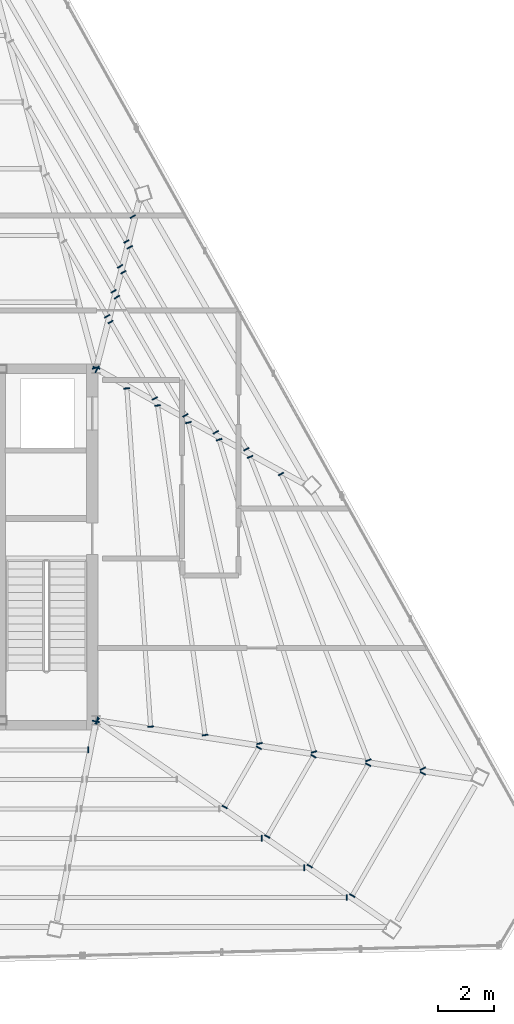
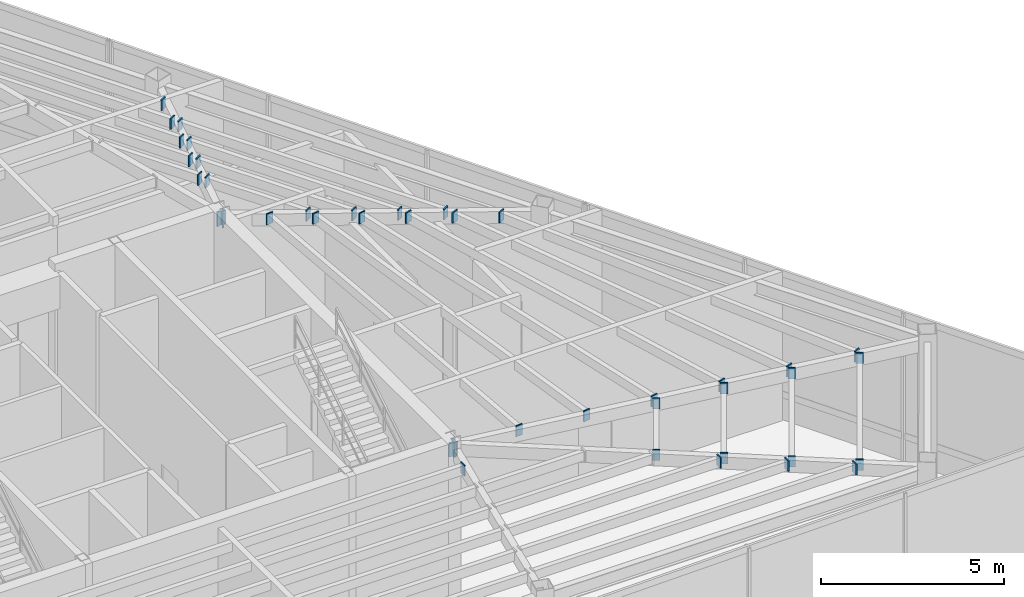
# One storey, part 21 of 25: 43 plates.
"""IFC4 building model written with IfcOpenShell, lengths in metres."""

from ifc_helpers import new_model, si_unit, direction, frame, origin, origin_2d, place, context, subcontext, project, spatial, rectangle, extrude, source, transform, mapped, material, layer, layer_set, type_object, type_shapes, element, save


model = new_model("IFC4")

# Units and contexts
model_context = context("Model", 3, precision=1e-05, world=origin(), true_north=direction((0.0, 1.0)))
body_context = subcontext(model_context, "Body", "Model", "MODEL_VIEW")
ifc_project = project(units=[si_unit("LENGTHUNIT", "METRE"), si_unit("AREAUNIT", "SQUARE_METRE"), si_unit("VOLUMEUNIT", "CUBIC_METRE"), si_unit("PLANEANGLEUNIT", "RADIAN"), si_unit("MASSUNIT", "GRAM", prefix="KILO")], contexts=[model_context])

# Site, building, storey
site_placement = place(None, origin())
site = spatial("IfcSite", under=ifc_project, at=site_placement, CompositionType="ELEMENT")
building_placement = place(site_placement, origin())
building = spatial("IfcBuilding", under=site, at=building_placement, Name="Caelisora Broadcast Tower", CompositionType="ELEMENT")
storey_placement = place(building_placement, frame((0.0, 0.0, 284.60009765625)))
storey = spatial("IfcBuildingStorey", under=building, at=storey_placement, Name="L75", CompositionType="ELEMENT", Elevation=284.60009765625)

# Plates
ifc_material = material(Name="Steel Grade 350 L15 (AS/NZS 3678)", Category="steel")
ifc_layer = layer(ifc_material, 0.0400390625, Name="Steel Grade 350 L15 (AS/NZS 3678)")
ifc_layer_set = layer_set([ifc_layer], Name="Steel Grade 350 L15 (AS/NZS 3678)")
plate_type = type_object("IfcPlateType", Name="GP04", PredefinedType="USERDEFINED", material=ifc_layer_set)
shared_shape_1 = source(origin(), body_context, "Body", "SweptSolid", [
    extrude(rectangle(XDim=0.260009765625, YDim=0.0400390625, at=origin_2d()), origin(), (0.0, 0.0, 1.0), 0.4599609375),
])
for number, where, z_axis, x_axis, name in (
    (1, (45.48974609375, 30.038818359375, 4.52001953125), (0.0, 0.0, 1.0), (-0.966376079321, -0.257132793155, 0.0), "L75 gusset plate GP04 (ND-RAD-L75-01)"),
    (2, (45.4921875, 17.360595703125, 4.52001953125), (0.0, 0.0, 1.0), (0.981493734433, -0.191494253877, 0.0), "L75 gusset plate GP04 (ND-RAD-L75-08)"),
    (3, (45.532958984375, 17.377197265625, 4.52001953125), (0.0, 0.0, 1.0), (0.570426897773, 0.821348375719, 0.0), "L75 gusset plate GP04 (ND-RAD-L75-09)"),
    (4, (45.53955078125, 17.393798828125, 4.52001953125), (0.0, 0.0, 1.0), (0.153330783737, 0.98817491911, 0.0), "L75 gusset plate GP04 (ND-RAD-L75-10)"),
    (5, (45.534912109375, 29.980712890625, 4.52001953125), (0.0, 0.0, 1.0), (0.484351604003, 0.87487343296, 0.0), "L75 gusset plate GP04 (ND-RAD-L75-11)"),
    (6, (45.510009765625, 30.038818359375, 4.52001953125), (0.0, 0.0, 1.0), (-0.96862655095, 0.248520833726, 0.0), "L75 gusset plate GP04 (ND-RAD-L75-12)"),
):
    element("IfcPlate", number, at=place(storey_placement, frame(where, z_axis=z_axis, x_axis=x_axis)), inside=storey, type_object=plate_type, Name=name, ObjectType="GUSSET PLATE", PredefinedType="USERDEFINED", context=body_context, shape_type="MappedRepresentation", body=[
        mapped(shared_shape_1, transform((0.0, 0.0, 0.0), scale=1.0)),
    ])
shared_shape_2 = source(origin(), body_context, "Body", "SweptSolid", [
    extrude(rectangle(XDim=0.2099609375, YDim=0.0400390625, at=origin_2d()), origin(), (0.0, 0.0, 1.0), 0.360107421875),
])
type_shapes(plate_type, [shared_shape_1, shared_shape_2])
for number, where, z_axis, x_axis, name in (
    (7, (45.214599609375, 16.341796875, 4.61962890625), (0.0, 0.0, 1.0), (0.0, 1.0, 0.0), "L75 gusset plate GP04 (ND-SB-L75-031B)"),
    (8, (51.441162109375, 13.167724609375, 4.61962890625), (0.0, 0.0, 1.0), (0.0, 1.0, 0.0), "L75 gusset plate GP04 (ND-SB-L75-039B)"),
    (9, (52.964599609375, 12.109619140625, 4.61962890625), (0.0, 0.0, 1.0), (0.0, 1.0, 0.0), "L75 gusset plate GP04 (ND-SB-L75-040B)"),
    (10, (54.488037109375, 11.051513671875, 4.61962890625), (0.0, 0.0, 1.0), (0.0, 1.0, 0.0), "L75 gusset plate GP04 (ND-SB-L75-041B)"),
    (11, (50.10888671875, 14.292724609375, 4.61962890625), (0.0, 0.0, 1.0), (-0.866025403784, 0.5, 0.0), "L75 gusset plate GP04 (ND-SB-L75-042A)"),
    (12, (51.33447265625, 16.41552734375, 4.61962890625), (0.0, 0.0, 1.0), (-0.866025403784, 0.5, 0.0), "L75 gusset plate GP04 (ND-SB-L75-042B)"),
    (13, (51.632080078125, 13.234619140625, 4.61962890625), (0.0, 0.0, 1.0), (-0.866025403784, 0.5, 0.0), "L75 gusset plate GP04 (ND-SB-L75-043A)"),
    (14, (53.293212890625, 16.11181640625, 4.61962890625), (0.0, 0.0, 1.0), (-0.866025403784, 0.5, 0.0), "L75 gusset plate GP04 (ND-SB-L75-043B)"),
    (15, (53.155517578125, 12.176513671875, 4.61962890625), (0.0, 0.0, 1.0), (-0.866025403784, 0.5, 0.0), "L75 gusset plate GP04 (ND-SB-L75-044A)"),
    (16, (55.251953125, 15.807861328125, 4.61962890625), (0.0, 0.0, 1.0), (-0.866025403784, 0.5, 0.0), "L75 gusset plate GP04 (ND-SB-L75-044B)"),
    (17, (54.678955078125, 11.118408203125, 4.61962890625), (0.0, 0.0, 1.0), (-0.866025403784, 0.5, 0.0), "L75 gusset plate GP04 (ND-SB-L75-045A)"),
    (18, (57.2109375, 15.50390625, 4.61962890625), (0.0, 0.0, 1.0), (-0.866025403784, 0.5, 0.0), "L75 gusset plate GP04 (ND-SB-L75-045B)"),
    (19, (47.453125, 17.175537109375, 4.61962890625), (0.0, 0.0, 1.0), (-0.997539639882, -0.070104685031, 0.0), "L75 gusset plate GP04 (ND-SB-L75-046A)"),
    (20, (46.6005859375, 29.29833984375, 4.61962890625), (0.0, 0.0, 1.0), (-0.997539639882, -0.070104685031, 0.0), "L75 gusset plate GP04 (ND-SB-L75-046B)"),
    (21, (49.406005859375, 16.873046875, 4.61962890625), (0.0, 0.0, 1.0), (-0.989751322388, -0.142801680073, 0.0), "L75 gusset plate GP04 (ND-SB-L75-047A)"),
    (22, (47.702392578125, 28.68701171875, 4.61962890625), (0.0, 0.0, 1.0), (-0.989751322388, -0.142801680073, 0.0), "L75 gusset plate GP04 (ND-SB-L75-047B)"),
    (23, (51.358154296875, 16.57080078125, 4.61962890625), (0.0, 0.0, 1.0), (-0.976258216411, -0.216610006439, 0.0), "L75 gusset plate GP04 (ND-SB-L75-048A)"),
    (24, (48.8056640625, 28.074951171875, 4.61962890625), (0.0, 0.0, 1.0), (-0.976258216411, -0.216610006439, 0.0), "L75 gusset plate GP04 (ND-SB-L75-048B)"),
    (25, (53.309814453125, 16.268798828125, 4.61962890625), (0.0, 0.0, 1.0), (-0.956864306588, -0.290535193698, 0.0), "L75 gusset plate GP04 (ND-SB-L75-049A)"),
    (26, (49.91064453125, 27.461669921875, 4.61962890625), (0.0, 0.0, 1.0), (-0.956864306588, -0.290535193698, 0.0), "L75 gusset plate GP04 (ND-SB-L75-049B)"),
    (27, (55.260498046875, 15.967041015625, 4.61962890625), (0.0, 0.0, 1.0), (-0.931691227586, -0.363251230473, 0.0), "L75 gusset plate GP04 (ND-SB-L75-050A)"),
    (28, (51.01806640625, 26.846923828125, 4.61962890625), (0.0, 0.0, 1.0), (-0.931691227586, -0.363251230473, 0.0), "L75 gusset plate GP04 (ND-SB-L75-050B)"),
    (29, (57.21044921875, 15.665283203125, 4.61962890625), (0.0, 0.0, 1.0), (-0.901152695386, -0.433501810375, 0.0), "L75 gusset plate GP04 (ND-SB-L75-051A)"),
    (30, (52.12841796875, 26.23046875, 4.61962890625), (0.0, 0.0, 1.0), (-0.901152695386, -0.433501810375, 0.0), "L75 gusset plate GP04 (ND-SB-L75-051B)"),
    (31, (47.602294921875, 28.9365234375, 4.61962890625), (0.0, 0.0, 1.0), (-0.866025403784, -0.5, 0.0), "L75 gusset plate GP04 (ND-SB-L75-052A)"),
    (32, (46.017822265625, 31.680908203125, 4.61962890625), (0.0, 0.0, 1.0), (-0.866025403784, -0.5, 0.0), "L75 gusset plate GP04 (ND-SB-L75-052B)"),
    (33, (48.6962890625, 28.330810546875, 4.61962890625), (0.0, 0.0, 1.0), (-0.866025403784, -0.5, 0.0), "L75 gusset plate GP04 (ND-SB-L75-053A)"),
    (34, (46.246826171875, 32.5732421875, 4.61962890625), (0.0, 0.0, 1.0), (-0.866025403784, -0.5, 0.0), "L75 gusset plate GP04 (ND-SB-L75-053B)"),
    (35, (49.7900390625, 27.72509765625, 4.61962890625), (0.0, 0.0, 1.0), (-0.866025403784, -0.5, 0.0), "L75 gusset plate GP04 (ND-SB-L75-054A)"),
    (36, (46.475830078125, 33.465576171875, 4.61962890625), (0.0, 0.0, 1.0), (-0.866025403784, -0.5, 0.0), "L75 gusset plate GP04 (ND-SB-L75-054B)"),
    (37, (50.884033203125, 27.119384765625, 4.61962890625), (0.0, 0.0, 1.0), (-0.866025403784, -0.5, 0.0), "L75 gusset plate GP04 (ND-SB-L75-055A)"),
    (38, (46.704833984375, 34.35791015625, 4.61962890625), (0.0, 0.0, 1.0), (-0.866025403784, -0.5, 0.0), "L75 gusset plate GP04 (ND-SB-L75-055B)"),
    (39, (45.89794921875, 31.888671875, 4.61962890625), (0.0, 0.0, 1.0), (-0.866025403784, -0.5, 0.0), "L75 gusset plate GP04 (ND-SB-L75-056A)"),
    (40, (46.126953125, 32.781005859375, 4.61962890625), (0.0, 0.0, 1.0), (-0.866025403784, -0.5, 0.0), "L75 gusset plate GP04 (ND-SB-L75-057A)"),
    (41, (46.355712890625, 33.673583984375, 4.61962890625), (0.0, 0.0, 1.0), (-0.866025403784, -0.5, 0.0), "L75 gusset plate GP04 (ND-SB-L75-058A)"),
    (42, (46.584716796875, 34.56591796875, 4.61962890625), (0.0, 0.0, 1.0), (-0.866025403784, -0.5, 0.0), "L75 gusset plate GP04 (ND-SB-L75-059A)"),
    (43, (46.813720703125, 35.458251953125, 4.61962890625), (0.0, 0.0, 1.0), (-0.866025403784, -0.5, 0.0), "L75 gusset plate GP04 (ND-SB-L75-060A)"),
):
    element("IfcPlate", number, at=place(storey_placement, frame(where, z_axis=z_axis, x_axis=x_axis)), inside=storey, type_object=plate_type, Name=name, ObjectType="GUSSET PLATE", PredefinedType="USERDEFINED", context=body_context, shape_type="MappedRepresentation", body=[
        mapped(shared_shape_2, transform((0.0, 0.0, 0.0), scale=1.0)),
    ])

save(model, "model.ifc")
